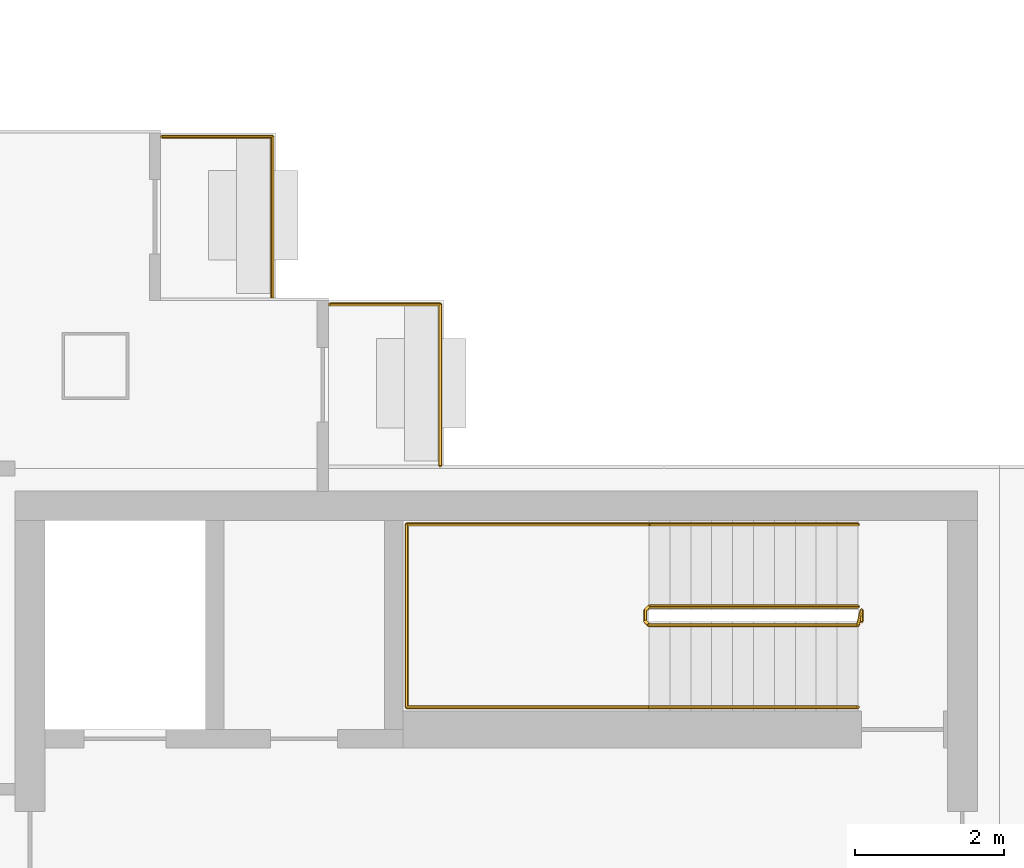
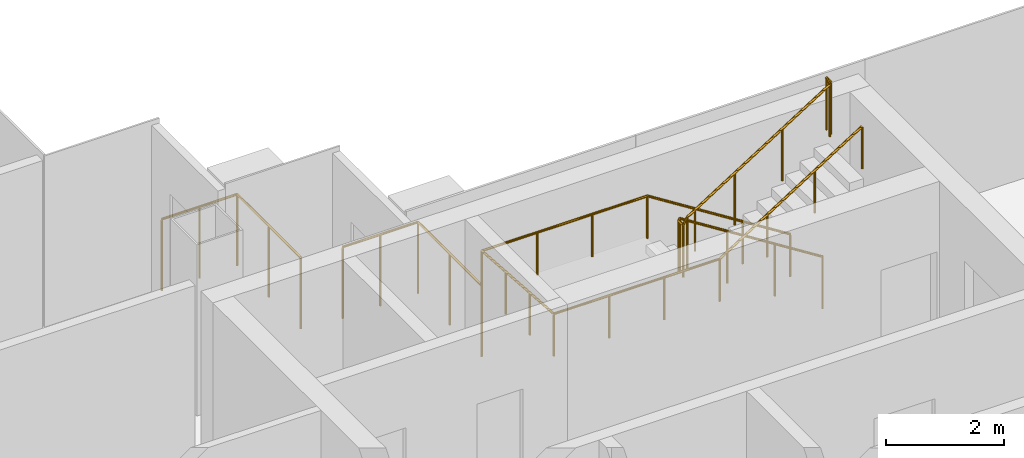
# One storey, part 16 of 17: 4 railings.
"""IFC4 building model written with IfcOpenShell, lengths in metres."""

from ifc_helpers import new_model, si_unit, direction, frame, origin, origin_2d, place, context, subcontext, project, spatial, circle, extrude, material, type_object, element, save


model = new_model("IFC4")

# Units and contexts
model_context = context("Model", 3, precision=1e-05, world=origin(), true_north=direction((0.0, 1.0)))
body_context = subcontext(model_context, "Body", "Model", "MODEL_VIEW")
ifc_project = project(units=[si_unit("LENGTHUNIT", "METRE"), si_unit("AREAUNIT", "SQUARE_METRE"), si_unit("VOLUMEUNIT", "CUBIC_METRE"), si_unit("PLANEANGLEUNIT", "RADIAN"), si_unit("MASSUNIT", "GRAM", prefix="KILO")], contexts=[model_context])

# Site, building, storey
site_placement = place(None, origin())
site = spatial("IfcSite", under=ifc_project, at=site_placement, CompositionType="ELEMENT")
building_placement = place(site_placement, origin())
building = spatial("IfcBuilding", under=site, at=building_placement, Name="Shamsa Quay Exchange Towers", CompositionType="ELEMENT")
storey_placement = place(building_placement, frame((0.0, 0.0, 234.300048828125)))
storey = spatial("IfcBuildingStorey", under=building, at=storey_placement, Name="L56", CompositionType="ELEMENT", Elevation=234.300048828125)

# Railings
ifc_material_1 = material(Name="Steel S355, black powder-coated", Category="steel")
railing_type_1 = type_object("IfcRailingType", Name="BALCONY GUARD 1500", PredefinedType="GUARDRAIL", material=ifc_material_1)
for number, where, name in (
    (1, (44.25, 9.0380859375, 0.0), "Balcony guard T2-PKES L56"),
    (2, (46.5, 6.7880859375, 0.0), "Balcony guard T2-PKES L56"),
):
    element("IfcRailing", number, at=place(storey_placement, frame(where)), inside=storey, type_object=railing_type_1, Name=name, PredefinedType="GUARDRAIL", context=body_context, shape_type="SweptSolid", body=[
        extrude(circle(Radius=0.02392578125, at=origin_2d()), frame((0.0, 0.0, 1.47607421875), z_axis=(0.0, 1.0, 0.0), x_axis=(-1.0, 0.0, 0.0)), (0.0, 0.0, 1.0), 2.161865234375),
        extrude(circle(Radius=0.02392578125, at=origin_2d()), frame((0.0, 2.161865234375, 1.47607421875), z_axis=(-1.0, 0.0, 0.0), x_axis=(0.0, -1.0, 0.0)), (0.0, 0.0, 1.0), 1.47900390625),
        extrude(circle(Radius=0.02099609375, at=origin_2d()), origin(), (0.0, 0.0, 1.0), 1.451904296875),
        extrude(circle(Radius=0.02099609375, at=origin_2d()), frame((0.0, 1.0810546875, 0.0)), (0.0, 0.0, 1.0), 1.451904296875),
        extrude(circle(Radius=0.02099609375, at=origin_2d()), frame((0.0, 2.161865234375, 0.0)), (0.0, 0.0, 1.0), 1.451904296875),
        extrude(circle(Radius=0.02099609375, at=origin_2d()), frame((-0.739501953125, 2.161865234375, 0.0)), (0.0, 0.0, 1.0), 1.451904296875),
        extrude(circle(Radius=0.02099609375, at=origin_2d()), frame((-1.47900390625, 2.161865234375, 0.0)), (0.0, 0.0, 1.0), 1.451904296875),
    ])
ifc_material_2 = material(Name="Stainless steel", Category="steel")
railing_type_2 = type_object("IfcRailingType", Name="STAIR GUARD 1100", PredefinedType="GUARDRAIL", material=ifc_material_2)
railing_1_placement = place(storey_placement, frame((52.10009765625, 4.89990234375, 0.17724609375)))
element("IfcRailing", 3, at=railing_1_placement, inside=storey, type_object=railing_type_2, Name="L56 ST6 stair guard 1", PredefinedType="GUARDRAIL", context=body_context, shape_type="SweptSolid", body=[
    extrude(circle(Radius=0.02392578125, at=origin_2d()), frame((0.0, 0.0, 1.076171875), z_axis=(-0.844908973607, 0.0, 0.534910110503), x_axis=(0.0, -1.0, 0.0)), (0.0, 0.0, 1.0), 3.31396484375),
    extrude(circle(Radius=0.02392578125, at=origin_2d()), frame((-2.800048828125, 0.0, 2.8486328125), z_axis=(-0.708833529934, -0.705375805398, 0.0), x_axis=(0.705375805398, -0.708833529934, 0.0)), (0.0, 0.0, 1.0), 0.070556640625),
    extrude(circle(Radius=0.02392578125, at=origin_2d()), frame((-2.85009765625, -0.0498046875, 2.8486328125), z_axis=(0.0, -1.0, 0.0), x_axis=(1.0, 0.0, 0.0)), (0.0, 0.0, 1.0), 0.150146484375),
    extrude(circle(Radius=0.02392578125, at=origin_2d()), frame((-2.85009765625, -0.199951171875, 2.8486328125), z_axis=(0.262233686654, -0.262233686654, 0.928691007369), x_axis=(0.707106781187, 0.707106781187, 0.0)), (0.0, 0.0, 1.0), 0.19091796875),
    extrude(circle(Radius=0.02392578125, at=origin_2d()), frame((-2.800048828125, -0.25, 3.02587890625), z_axis=(0.844908973607, 0.0, 0.534910110503), x_axis=(0.0, 1.0, 0.0)), (0.0, 0.0, 1.0), 3.31396484375),
    extrude(circle(Radius=0.02392578125, at=origin_2d()), frame((0.0, -0.25, 4.798828125), z_axis=(0.24142163986, 0.970420317083, 0.0), x_axis=(-0.970420317083, 0.24142163986, 0.0)), (0.0, 0.0, 1.0), 0.206298828125),
    extrude(circle(Radius=0.02392578125, at=origin_2d()), frame((0.0498046875, -0.0498046875, 4.798828125), z_axis=(0.0, -1.0, 0.0), x_axis=(1.0, 0.0, 0.0)), (0.0, 0.0, 1.0), 0.150146484375),
    extrude(circle(Radius=0.02099609375, at=origin_2d()), origin(), (0.0, 0.0, 1.0), 1.052001953125),
    extrude(circle(Radius=0.02099609375, at=origin_2d()), frame((-0.933349609375, 0.0, 0.5908203125)), (0.0, 0.0, 1.0), 1.052001953125),
    extrude(circle(Radius=0.02099609375, at=origin_2d()), frame((-1.86669921875, 0.0, 1.181884765625)), (0.0, 0.0, 1.0), 1.052001953125),
    extrude(circle(Radius=0.02099609375, at=origin_2d()), frame((-2.800048828125, 0.0, 1.772705078125)), (0.0, 0.0, 1.0), 1.052001953125),
    extrude(circle(Radius=0.02099609375, at=origin_2d()), frame((-2.85009765625, -0.0498046875, 1.772705078125)), (0.0, 0.0, 1.0), 1.052001953125),
    extrude(circle(Radius=0.02099609375, at=origin_2d()), frame((-2.85009765625, -0.199951171875, 1.772705078125)), (0.0, 0.0, 1.0), 1.052001953125),
    extrude(circle(Radius=0.02099609375, at=origin_2d()), frame((-2.800048828125, -0.25, 1.949951171875)), (0.0, 0.0, 1.0), 1.052001953125),
    extrude(circle(Radius=0.02099609375, at=origin_2d()), frame((-1.86669921875, -0.25, 2.540771484375)), (0.0, 0.0, 1.0), 1.052001953125),
    extrude(circle(Radius=0.02099609375, at=origin_2d()), frame((-0.933349609375, -0.25, 3.1318359375)), (0.0, 0.0, 1.0), 1.052001953125),
    extrude(circle(Radius=0.02099609375, at=origin_2d()), frame((0.0, -0.25, 3.72265625)), (0.0, 0.0, 1.0), 1.052001953125),
    extrude(circle(Radius=0.02099609375, at=origin_2d()), frame((0.0498046875, -0.0498046875, 3.72265625)), (0.0, 0.0, 1.0), 1.052001953125),
    extrude(circle(Radius=0.02099609375, at=origin_2d()), frame((0.0498046875, -0.199951171875, 3.72265625)), (0.0, 0.0, 1.0), 1.052001953125),
])
railing_type_3 = type_object("IfcRailingType", Name="STAIR HANDRAIL 900", PredefinedType="HANDRAIL", material=ifc_material_2)
railing_2_placement = place(storey_placement, frame((52.10009765625, 6.0, 0.17724609375)))
element("IfcRailing", 4, at=railing_2_placement, inside=storey, type_object=railing_type_3, Name="L56 ST6 stair handrail 1", PredefinedType="HANDRAIL", context=body_context, shape_type="SweptSolid", body=[
    extrude(circle(Radius=0.02392578125, at=origin_2d()), frame((0.0, 0.0, 0.8759765625), z_axis=(-0.844908973607, 0.0, 0.534910110503), x_axis=(0.0, -1.0, 0.0)), (0.0, 0.0, 1.0), 3.31396484375),
    extrude(circle(Radius=0.02392578125, at=origin_2d()), frame((-2.800048828125, 0.0, 2.6484375), z_axis=(-1.0, 0.0, 0.0), x_axis=(0.0, -1.0, 0.0)), (0.0, 0.0, 1.0), 3.25),
    extrude(circle(Radius=0.02392578125, at=origin_2d()), frame((-6.050048828125, 0.0, 2.6484375), z_axis=(0.0, -0.997393199914, 0.07215819264), x_axis=(1.0, 0.0, 0.0)), (0.0, 0.0, 1.0), 2.456298828125),
    extrude(circle(Radius=0.02392578125, at=origin_2d()), frame((-6.050048828125, -2.449951171875, 2.82568359375), z_axis=(1.0, 0.0, 0.0), x_axis=(0.0, 1.0, 0.0)), (0.0, 0.0, 1.0), 3.25),
    extrude(circle(Radius=0.02392578125, at=origin_2d()), frame((-2.800048828125, -2.449951171875, 2.82568359375), z_axis=(0.844908973607, 0.0, 0.534910110503), x_axis=(0.0, 1.0, 0.0)), (0.0, 0.0, 1.0), 3.31396484375),
    extrude(circle(Radius=0.02099609375, at=origin_2d()), origin(), (0.0, 0.0, 1.0), 0.851806640625),
    extrude(circle(Radius=0.02099609375, at=origin_2d()), frame((-0.933349609375, 0.0, 0.5908203125)), (0.0, 0.0, 1.0), 0.851806640625),
    extrude(circle(Radius=0.02099609375, at=origin_2d()), frame((-1.86669921875, 0.0, 1.181884765625)), (0.0, 0.0, 1.0), 0.851806640625),
    extrude(circle(Radius=0.02099609375, at=origin_2d()), frame((-2.800048828125, 0.0, 1.772705078125)), (0.0, 0.0, 1.0), 0.851806640625),
    extrude(circle(Radius=0.02099609375, at=origin_2d()), frame((-3.88330078125, 0.0, 1.772705078125)), (0.0, 0.0, 1.0), 0.851806640625),
    extrude(circle(Radius=0.02099609375, at=origin_2d()), frame((-4.966796875, 0.0, 1.772705078125)), (0.0, 0.0, 1.0), 0.851806640625),
    extrude(circle(Radius=0.02099609375, at=origin_2d()), frame((-6.050048828125, 0.0, 1.772705078125)), (0.0, 0.0, 1.0), 0.851806640625),
    extrude(circle(Radius=0.02099609375, at=origin_2d()), frame((-6.050048828125, -0.816650390625, 1.831787109375)), (0.0, 0.0, 1.0), 0.851806640625),
    extrude(circle(Radius=0.02099609375, at=origin_2d()), frame((-6.050048828125, -1.63330078125, 1.890869140625)), (0.0, 0.0, 1.0), 0.851806640625),
    extrude(circle(Radius=0.02099609375, at=origin_2d()), frame((-6.050048828125, -2.449951171875, 1.949951171875)), (0.0, 0.0, 1.0), 0.851806640625),
    extrude(circle(Radius=0.02099609375, at=origin_2d()), frame((-4.966796875, -2.449951171875, 1.949951171875)), (0.0, 0.0, 1.0), 0.851806640625),
    extrude(circle(Radius=0.02099609375, at=origin_2d()), frame((-3.88330078125, -2.449951171875, 1.949951171875)), (0.0, 0.0, 1.0), 0.851806640625),
    extrude(circle(Radius=0.02099609375, at=origin_2d()), frame((-2.800048828125, -2.449951171875, 1.949951171875)), (0.0, 0.0, 1.0), 0.851806640625),
    extrude(circle(Radius=0.02099609375, at=origin_2d()), frame((-1.86669921875, -2.449951171875, 2.540771484375)), (0.0, 0.0, 1.0), 0.851806640625),
    extrude(circle(Radius=0.02099609375, at=origin_2d()), frame((-0.933349609375, -2.449951171875, 3.1318359375)), (0.0, 0.0, 1.0), 0.851806640625),
    extrude(circle(Radius=0.02099609375, at=origin_2d()), frame((0.0, -2.449951171875, 3.72265625)), (0.0, 0.0, 1.0), 0.851806640625),
])

save(model, "model.ifc")
